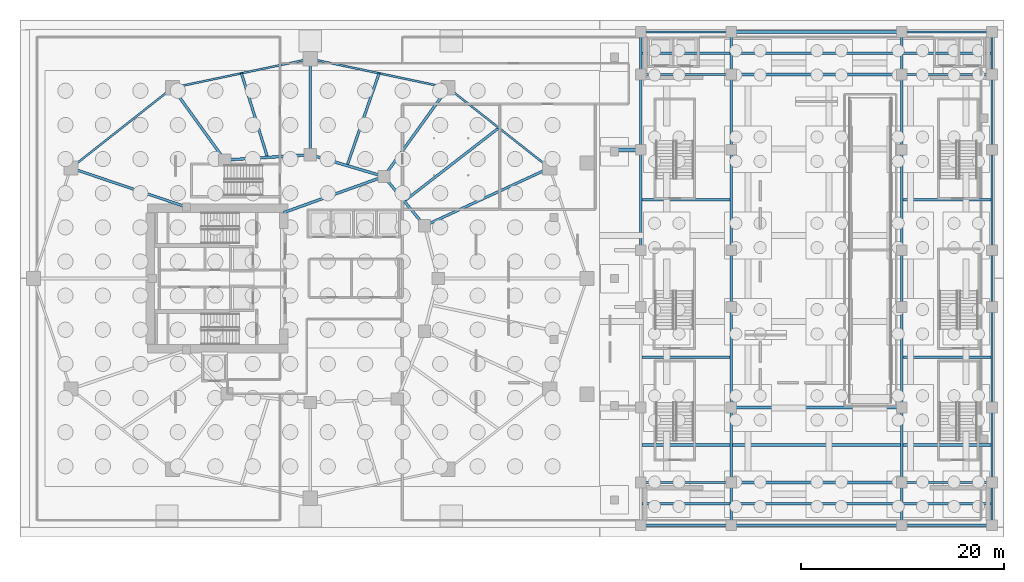
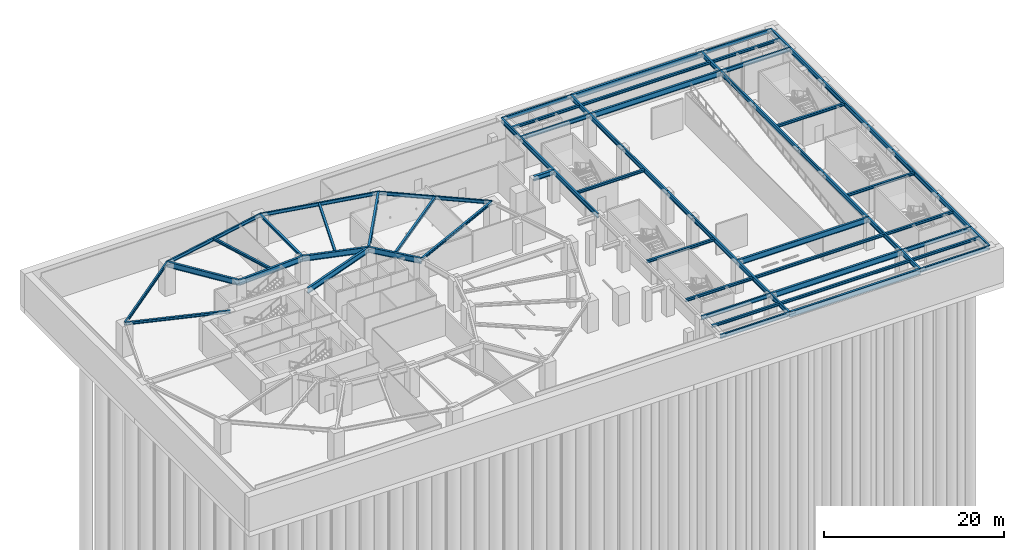
# One storey, part 4 of 19: 67 beams.
"""IFC4 building model written with IfcOpenShell, lengths in metres."""

from ifc_helpers import new_model, si_unit, direction, frame, origin, origin_2d, place, context, subcontext, project, spatial, i_section, extrude, material, material_profile, profile_set, type_object, element, save


model = new_model("IFC4")

# Units and contexts
model_context = context("Model", 3, precision=1e-05, world=origin(), true_north=direction((0.0, 1.0)))
body_context = subcontext(model_context, "Body", "Model", "MODEL_VIEW")
ifc_project = project(units=[si_unit("LENGTHUNIT", "METRE"), si_unit("AREAUNIT", "SQUARE_METRE"), si_unit("VOLUMEUNIT", "CUBIC_METRE"), si_unit("PLANEANGLEUNIT", "RADIAN"), si_unit("MASSUNIT", "GRAM", prefix="KILO")], contexts=[model_context])

# Site, building, storey
site_placement = place(None, origin())
site = spatial("IfcSite", under=ifc_project, at=site_placement, CompositionType="ELEMENT")
building_placement = place(site_placement, origin())
building = spatial("IfcBuilding", under=site, at=building_placement, Name="Kolvaren Gate Tower and Convention Centre", CompositionType="ELEMENT")
storey_placement = place(building_placement, frame((0.0, 0.0, -13.5)))
storey = spatial("IfcBuildingStorey", under=building, at=storey_placement, Name="B3", CompositionType="ELEMENT", Elevation=-13.5)

# Beams
ifc_material = material(Name="Structural steel ASTM A992 Grade 345 MPa", Category="steel")
ifc_material_profile_1 = material_profile(ifc_material, i_section(OverallWidth=0.2119140625, OverallDepth=0.5439453125, WebThickness=0.01318359375, FlangeThickness=0.021240234375, at=origin_2d()), Name="W530X123")
ifc_profile_set_1 = profile_set([ifc_material_profile_1], Name="Structural steel ASTM A992 Grade 345 MPa")
beam_type_1 = type_object("IfcBeamType", Name="STR-BM-W530X123", PredefinedType="BEAM", material=ifc_profile_set_1)
for number, where, z_axis, x_axis, name in (
    (1, (62.699951171875, 2.699951171875, 3.907958984375), (1.0, 0.0, 0.0), (0.0, 1.0, 0.0), "Convention B3 Transverse Girder CTG-11"),
    (2, (88.39990234375, 2.699951171875, 3.907958984375), (1.0, 0.0, 0.0), (0.0, 1.0, 0.0), "Convention B3 Transverse Girder CTG-31"),
    (3, (62.699951171875, 6.89990234375, 3.907958984375), (1.0, 0.0, 0.0), (0.0, 1.0, 0.0), "Convention B3 Transverse Girder CTG-12"),
    (4, (88.39990234375, 6.89990234375, 3.907958984375), (1.0, 0.0, 0.0), (0.0, 1.0, 0.0), "Convention B3 Transverse Girder CTG-32"),
    (5, (62.699951171875, 47.10009765625, 3.907958984375), (1.0, 0.0, 0.0), (0.0, 1.0, 0.0), "Convention B3 Transverse Girder CTG-17"),
    (6, (88.39990234375, 47.10009765625, 3.907958984375), (1.0, 0.0, 0.0), (0.0, 1.0, 0.0), "Convention B3 Transverse Girder CTG-37"),
    (7, (62.699951171875, 51.300048828125, 3.907958984375), (1.0, 0.0, 0.0), (0.0, 1.0, 0.0), "Convention B3 Transverse Girder CTG-18"),
    (8, (88.39990234375, 51.300048828125, 3.907958984375), (1.0, 0.0, 0.0), (0.0, 1.0, 0.0), "Convention B3 Transverse Girder CTG-38"),
):
    element("IfcBeam", number, at=place(storey_placement, frame(where, z_axis=z_axis, x_axis=x_axis)), inside=storey, type_object=beam_type_1, Name=name, PredefinedType="BEAM", context=body_context, shape_type="SweptSolid", body=[
        extrude(i_section(OverallWidth=0.2119140625, OverallDepth=0.5439453125, WebThickness=0.01318359375, FlangeThickness=0.021240234375, at=origin_2d()), origin(), (0.0, 0.0, 1.0), 8.900146484375),
    ])
ifc_material_profile_2 = material_profile(ifc_material, i_section(OverallWidth=0.22998046875, OverallDepth=0.616943359375, WebThickness=0.01318359375, FlangeThickness=0.022216796875, at=origin_2d()), Name="W610X140")
ifc_profile_set_2 = profile_set([ifc_material_profile_2], Name="Structural steel ASTM A992 Grade 345 MPa")
beam_type_2 = type_object("IfcBeamType", Name="STR-BM-W610X140", PredefinedType="BEAM", material=ifc_profile_set_2)
beam_1_placement = place(storey_placement, frame((62.699951171875, 29.800048828125, 3.87158203125), z_axis=(0.0, 1.0, 0.0), x_axis=(-1.0, 0.0, 0.0)))
element("IfcBeam", 9, at=beam_1_placement, inside=storey, type_object=beam_type_2, Name="Convention B3 Longitudinal Girder CG-15", PredefinedType="BEAM", context=body_context, shape_type="SweptSolid", body=[
    extrude(i_section(OverallWidth=0.22998046875, OverallDepth=0.616943359375, WebThickness=0.01318359375, FlangeThickness=0.022216796875, at=origin_2d()), origin(), (0.0, 0.0, 1.0), 9.89990234375),
])
beam_2_placement = place(storey_placement, frame((62.699951171875, 39.699951171875, 3.87158203125), z_axis=(0.0, 1.0, 0.0), x_axis=(-1.0, 0.0, 0.0)))
element("IfcBeam", 10, at=beam_2_placement, inside=storey, type_object=beam_type_2, Name="Convention B3 Longitudinal Girder CG-16", PredefinedType="BEAM", context=body_context, shape_type="SweptSolid", body=[
    extrude(i_section(OverallWidth=0.22998046875, OverallDepth=0.616943359375, WebThickness=0.01318359375, FlangeThickness=0.022216796875, at=origin_2d()), origin(), (0.0, 0.0, 1.0), 7.400146484375),
])
for number, where, z_axis, x_axis, name in (
    (11, (62.699951171875, 47.10009765625, 3.87158203125), (0.0, 1.0, 0.0), (-1.0, 0.0, 0.0), "Convention B3 Longitudinal Girder CG-17"),
    (12, (71.60009765625, 2.699951171875, 3.87158203125), (0.0, 1.0, 0.0), (-1.0, 0.0, 0.0), "Convention B3 Longitudinal Girder CG-21"),
):
    element("IfcBeam", number, at=place(storey_placement, frame(where, z_axis=z_axis, x_axis=x_axis)), inside=storey, type_object=beam_type_2, Name=name, PredefinedType="BEAM", context=body_context, shape_type="SweptSolid", body=[
        extrude(i_section(OverallWidth=0.22998046875, OverallDepth=0.616943359375, WebThickness=0.01318359375, FlangeThickness=0.022216796875, at=origin_2d()), origin(), (0.0, 0.0, 1.0), 4.199951171875),
    ])
beam_3_placement = place(storey_placement, frame((71.60009765625, 6.89990234375, 3.87158203125), z_axis=(0.0, 1.0, 0.0), x_axis=(-1.0, 0.0, 0.0)))
element("IfcBeam", 13, at=beam_3_placement, inside=storey, type_object=beam_type_2, Name="Convention B3 Longitudinal Girder CG-22", PredefinedType="BEAM", context=body_context, shape_type="SweptSolid", body=[
    extrude(i_section(OverallWidth=0.22998046875, OverallDepth=0.616943359375, WebThickness=0.01318359375, FlangeThickness=0.022216796875, at=origin_2d()), origin(), (0.0, 0.0, 1.0), 7.400146484375),
])
beam_4_placement = place(storey_placement, frame((71.60009765625, 14.300048828125, 3.87158203125), z_axis=(0.0, 1.0, 0.0), x_axis=(-1.0, 0.0, 0.0)))
element("IfcBeam", 14, at=beam_4_placement, inside=storey, type_object=beam_type_2, Name="Convention B3 Longitudinal Girder CG-23", PredefinedType="BEAM", context=body_context, shape_type="SweptSolid", body=[
    extrude(i_section(OverallWidth=0.22998046875, OverallDepth=0.616943359375, WebThickness=0.01318359375, FlangeThickness=0.022216796875, at=origin_2d()), origin(), (0.0, 0.0, 1.0), 9.89990234375),
])
beam_5_placement = place(storey_placement, frame((71.60009765625, 24.199951171875, 3.87158203125), z_axis=(0.0, 1.0, 0.0), x_axis=(-1.0, 0.0, 0.0)))
element("IfcBeam", 15, at=beam_5_placement, inside=storey, type_object=beam_type_2, Name="Convention B3 Longitudinal Girder CG-24", PredefinedType="BEAM", context=body_context, shape_type="SweptSolid", body=[
    extrude(i_section(OverallWidth=0.22998046875, OverallDepth=0.616943359375, WebThickness=0.01318359375, FlangeThickness=0.022216796875, at=origin_2d()), origin(), (0.0, 0.0, 1.0), 5.60009765625),
])
beam_6_placement = place(storey_placement, frame((71.60009765625, 29.800048828125, 3.87158203125), z_axis=(0.0, 1.0, 0.0), x_axis=(-1.0, 0.0, 0.0)))
element("IfcBeam", 16, at=beam_6_placement, inside=storey, type_object=beam_type_2, Name="Convention B3 Longitudinal Girder CG-25", PredefinedType="BEAM", context=body_context, shape_type="SweptSolid", body=[
    extrude(i_section(OverallWidth=0.22998046875, OverallDepth=0.616943359375, WebThickness=0.01318359375, FlangeThickness=0.022216796875, at=origin_2d()), origin(), (0.0, 0.0, 1.0), 9.89990234375),
])
beam_7_placement = place(storey_placement, frame((71.60009765625, 39.699951171875, 3.87158203125), z_axis=(0.0, 1.0, 0.0), x_axis=(-1.0, 0.0, 0.0)))
element("IfcBeam", 17, at=beam_7_placement, inside=storey, type_object=beam_type_2, Name="Convention B3 Longitudinal Girder CG-26", PredefinedType="BEAM", context=body_context, shape_type="SweptSolid", body=[
    extrude(i_section(OverallWidth=0.22998046875, OverallDepth=0.616943359375, WebThickness=0.01318359375, FlangeThickness=0.022216796875, at=origin_2d()), origin(), (0.0, 0.0, 1.0), 7.400146484375),
])
for number, where, z_axis, x_axis, name in (
    (18, (71.60009765625, 47.10009765625, 3.87158203125), (0.0, 1.0, 0.0), (-1.0, 0.0, 0.0), "Convention B3 Longitudinal Girder CG-27"),
    (19, (88.39990234375, 2.699951171875, 3.87158203125), (0.0, 1.0, 0.0), (-1.0, 0.0, 0.0), "Convention B3 Longitudinal Girder CG-31"),
):
    element("IfcBeam", number, at=place(storey_placement, frame(where, z_axis=z_axis, x_axis=x_axis)), inside=storey, type_object=beam_type_2, Name=name, PredefinedType="BEAM", context=body_context, shape_type="SweptSolid", body=[
        extrude(i_section(OverallWidth=0.22998046875, OverallDepth=0.616943359375, WebThickness=0.01318359375, FlangeThickness=0.022216796875, at=origin_2d()), origin(), (0.0, 0.0, 1.0), 4.199951171875),
    ])
beam_8_placement = place(storey_placement, frame((88.39990234375, 6.89990234375, 3.87158203125), z_axis=(0.0, 1.0, 0.0), x_axis=(-1.0, 0.0, 0.0)))
element("IfcBeam", 20, at=beam_8_placement, inside=storey, type_object=beam_type_2, Name="Convention B3 Longitudinal Girder CG-32", PredefinedType="BEAM", context=body_context, shape_type="SweptSolid", body=[
    extrude(i_section(OverallWidth=0.22998046875, OverallDepth=0.616943359375, WebThickness=0.01318359375, FlangeThickness=0.022216796875, at=origin_2d()), origin(), (0.0, 0.0, 1.0), 7.400146484375),
])
beam_9_placement = place(storey_placement, frame((88.39990234375, 14.300048828125, 3.87158203125), z_axis=(0.0, 1.0, 0.0), x_axis=(-1.0, 0.0, 0.0)))
element("IfcBeam", 21, at=beam_9_placement, inside=storey, type_object=beam_type_2, Name="Convention B3 Longitudinal Girder CG-33", PredefinedType="BEAM", context=body_context, shape_type="SweptSolid", body=[
    extrude(i_section(OverallWidth=0.22998046875, OverallDepth=0.616943359375, WebThickness=0.01318359375, FlangeThickness=0.022216796875, at=origin_2d()), origin(), (0.0, 0.0, 1.0), 9.89990234375),
])
beam_10_placement = place(storey_placement, frame((88.39990234375, 24.199951171875, 3.87158203125), z_axis=(0.0, 1.0, 0.0), x_axis=(-1.0, 0.0, 0.0)))
element("IfcBeam", 22, at=beam_10_placement, inside=storey, type_object=beam_type_2, Name="Convention B3 Longitudinal Girder CG-34", PredefinedType="BEAM", context=body_context, shape_type="SweptSolid", body=[
    extrude(i_section(OverallWidth=0.22998046875, OverallDepth=0.616943359375, WebThickness=0.01318359375, FlangeThickness=0.022216796875, at=origin_2d()), origin(), (0.0, 0.0, 1.0), 5.60009765625),
])
beam_11_placement = place(storey_placement, frame((88.39990234375, 29.800048828125, 3.87158203125), z_axis=(0.0, 1.0, 0.0), x_axis=(-1.0, 0.0, 0.0)))
element("IfcBeam", 23, at=beam_11_placement, inside=storey, type_object=beam_type_2, Name="Convention B3 Longitudinal Girder CG-35", PredefinedType="BEAM", context=body_context, shape_type="SweptSolid", body=[
    extrude(i_section(OverallWidth=0.22998046875, OverallDepth=0.616943359375, WebThickness=0.01318359375, FlangeThickness=0.022216796875, at=origin_2d()), origin(), (0.0, 0.0, 1.0), 9.89990234375),
])
beam_12_placement = place(storey_placement, frame((88.39990234375, 39.699951171875, 3.87158203125), z_axis=(0.0, 1.0, 0.0), x_axis=(-1.0, 0.0, 0.0)))
element("IfcBeam", 24, at=beam_12_placement, inside=storey, type_object=beam_type_2, Name="Convention B3 Longitudinal Girder CG-36", PredefinedType="BEAM", context=body_context, shape_type="SweptSolid", body=[
    extrude(i_section(OverallWidth=0.22998046875, OverallDepth=0.616943359375, WebThickness=0.01318359375, FlangeThickness=0.022216796875, at=origin_2d()), origin(), (0.0, 0.0, 1.0), 7.400146484375),
])
for number, where, z_axis, x_axis, name in (
    (25, (88.39990234375, 47.10009765625, 3.87158203125), (0.0, 1.0, 0.0), (-1.0, 0.0, 0.0), "Convention B3 Longitudinal Girder CG-37"),
    (26, (97.300048828125, 2.699951171875, 3.87158203125), (0.0, 1.0, 0.0), (-1.0, 0.0, 0.0), "Convention B3 Longitudinal Girder CG-41"),
):
    element("IfcBeam", number, at=place(storey_placement, frame(where, z_axis=z_axis, x_axis=x_axis)), inside=storey, type_object=beam_type_2, Name=name, PredefinedType="BEAM", context=body_context, shape_type="SweptSolid", body=[
        extrude(i_section(OverallWidth=0.22998046875, OverallDepth=0.616943359375, WebThickness=0.01318359375, FlangeThickness=0.022216796875, at=origin_2d()), origin(), (0.0, 0.0, 1.0), 4.199951171875),
    ])
beam_13_placement = place(storey_placement, frame((97.300048828125, 6.89990234375, 3.87158203125), z_axis=(0.0, 1.0, 0.0), x_axis=(-1.0, 0.0, 0.0)))
element("IfcBeam", 27, at=beam_13_placement, inside=storey, type_object=beam_type_2, Name="Convention B3 Longitudinal Girder CG-42", PredefinedType="BEAM", context=body_context, shape_type="SweptSolid", body=[
    extrude(i_section(OverallWidth=0.22998046875, OverallDepth=0.616943359375, WebThickness=0.01318359375, FlangeThickness=0.022216796875, at=origin_2d()), origin(), (0.0, 0.0, 1.0), 7.400146484375),
])
beam_14_placement = place(storey_placement, frame((97.300048828125, 14.300048828125, 3.87158203125), z_axis=(0.0, 1.0, 0.0), x_axis=(-1.0, 0.0, 0.0)))
element("IfcBeam", 28, at=beam_14_placement, inside=storey, type_object=beam_type_2, Name="Convention B3 Longitudinal Girder CG-43", PredefinedType="BEAM", context=body_context, shape_type="SweptSolid", body=[
    extrude(i_section(OverallWidth=0.22998046875, OverallDepth=0.616943359375, WebThickness=0.01318359375, FlangeThickness=0.022216796875, at=origin_2d()), origin(), (0.0, 0.0, 1.0), 9.89990234375),
])
beam_15_placement = place(storey_placement, frame((97.300048828125, 24.199951171875, 3.87158203125), z_axis=(0.0, 1.0, 0.0), x_axis=(-1.0, 0.0, 0.0)))
element("IfcBeam", 29, at=beam_15_placement, inside=storey, type_object=beam_type_2, Name="Convention B3 Longitudinal Girder CG-44", PredefinedType="BEAM", context=body_context, shape_type="SweptSolid", body=[
    extrude(i_section(OverallWidth=0.22998046875, OverallDepth=0.616943359375, WebThickness=0.01318359375, FlangeThickness=0.022216796875, at=origin_2d()), origin(), (0.0, 0.0, 1.0), 5.60009765625),
])
beam_16_placement = place(storey_placement, frame((97.300048828125, 29.800048828125, 3.87158203125), z_axis=(0.0, 1.0, 0.0), x_axis=(-1.0, 0.0, 0.0)))
element("IfcBeam", 30, at=beam_16_placement, inside=storey, type_object=beam_type_2, Name="Convention B3 Longitudinal Girder CG-45", PredefinedType="BEAM", context=body_context, shape_type="SweptSolid", body=[
    extrude(i_section(OverallWidth=0.22998046875, OverallDepth=0.616943359375, WebThickness=0.01318359375, FlangeThickness=0.022216796875, at=origin_2d()), origin(), (0.0, 0.0, 1.0), 9.89990234375),
])
beam_17_placement = place(storey_placement, frame((97.300048828125, 39.699951171875, 3.87158203125), z_axis=(0.0, 1.0, 0.0), x_axis=(-1.0, 0.0, 0.0)))
element("IfcBeam", 31, at=beam_17_placement, inside=storey, type_object=beam_type_2, Name="Convention B3 Longitudinal Girder CG-46", PredefinedType="BEAM", context=body_context, shape_type="SweptSolid", body=[
    extrude(i_section(OverallWidth=0.22998046875, OverallDepth=0.616943359375, WebThickness=0.01318359375, FlangeThickness=0.022216796875, at=origin_2d()), origin(), (0.0, 0.0, 1.0), 7.400146484375),
])
beam_18_placement = place(storey_placement, frame((97.300048828125, 47.10009765625, 3.87158203125), z_axis=(0.0, 1.0, 0.0), x_axis=(-1.0, 0.0, 0.0)))
element("IfcBeam", 32, at=beam_18_placement, inside=storey, type_object=beam_type_2, Name="Convention B3 Longitudinal Girder CG-47", PredefinedType="BEAM", context=body_context, shape_type="SweptSolid", body=[
    extrude(i_section(OverallWidth=0.22998046875, OverallDepth=0.616943359375, WebThickness=0.01318359375, FlangeThickness=0.022216796875, at=origin_2d()), origin(), (0.0, 0.0, 1.0), 4.199951171875),
])
ifc_material_profile_3 = material_profile(ifc_material, i_section(OverallWidth=0.327880859375, OverallDepth=0.6279296875, WebThickness=0.0166015625, FlangeThickness=0.027587890625, at=origin_2d()), Name="W610X217")
ifc_profile_set_3 = profile_set([ifc_material_profile_3], Name="Structural steel ASTM A992 Grade 345 MPa")
beam_type_3 = type_object("IfcBeamType", Name="STR-BM-W610X217", PredefinedType="BEAM", material=ifc_profile_set_3)
beam_19_placement = place(storey_placement, frame((60.10009765625, 39.699951171875, 3.865966796875), z_axis=(1.0, 0.0, 0.0), x_axis=(0.0, 1.0, 0.0)))
element("IfcBeam", 33, at=beam_19_placement, inside=storey, type_object=beam_type_3, Name="Basement B3 Substructure Girder SG-39", PredefinedType="BEAM", context=body_context, shape_type="SweptSolid", body=[
    extrude(i_section(OverallWidth=0.327880859375, OverallDepth=0.6279296875, WebThickness=0.0166015625, FlangeThickness=0.027587890625, at=origin_2d()), origin(), (0.0, 0.0, 1.0), 2.599853515625),
])
ifc_material_profile_4 = material_profile(ifc_material, i_section(OverallWidth=0.26806640625, OverallDepth=0.758056640625, WebThickness=0.016357421875, FlangeThickness=0.025390625, at=origin_2d()), Name="W760X220")
ifc_profile_set_4 = profile_set([ifc_material_profile_4], Name="Structural steel ASTM A992 Grade 345 MPa")
beam_type_4 = type_object("IfcBeamType", Name="STR-BM-W760X220", PredefinedType="BEAM", material=ifc_profile_set_4)
beam_20_placement = place(storey_placement, frame((41.382080078125, 32.199462890625, 3.801025390625), z_axis=(-0.635884066011, 0.771784590798, 0.0), x_axis=(-0.771784590798, -0.635884066011, 0.0)))
element("IfcBeam", 34, at=beam_20_placement, inside=storey, type_object=beam_type_4, Name="Tower B3 Primary Ring Girder G-02", PredefinedType="BEAM", context=body_context, shape_type="SweptSolid", body=[
    extrude(i_section(OverallWidth=0.26806640625, OverallDepth=0.758056640625, WebThickness=0.016357421875, FlangeThickness=0.025390625, at=origin_2d()), origin(), (0.0, 0.0, 1.0), 6.291259765625),
])
beam_21_placement = place(storey_placement, frame((37.381591796875, 37.054931640625, 3.801025390625), z_axis=(-0.958980837827, 0.283470902706, 0.0), x_axis=(-0.283470902706, -0.958980837827, 0.0)))
element("IfcBeam", 35, at=beam_21_placement, inside=storey, type_object=beam_type_4, Name="Tower B3 Primary Ring Girder G-03", PredefinedType="BEAM", context=body_context, shape_type="SweptSolid", body=[
    extrude(i_section(OverallWidth=0.26806640625, OverallDepth=0.758056640625, WebThickness=0.016357421875, FlangeThickness=0.025390625, at=origin_2d()), origin(), (0.0, 0.0, 1.0), 7.56689453125),
])
beam_22_placement = place(storey_placement, frame((30.125, 39.199951171875, 3.801025390625), z_axis=(-0.998078258568, -0.06196603726, 0.0), x_axis=(0.06196603726, -0.998078258568, 0.0)))
element("IfcBeam", 36, at=beam_22_placement, inside=storey, type_object=beam_type_4, Name="Tower B3 Primary Ring Girder G-04", PredefinedType="BEAM", context=body_context, shape_type="SweptSolid", body=[
    extrude(i_section(OverallWidth=0.26806640625, OverallDepth=0.758056640625, WebThickness=0.016357421875, FlangeThickness=0.025390625, at=origin_2d()), origin(), (0.0, 0.0, 1.0), 8.443115234375),
])
beam_23_placement = place(storey_placement, frame((27.5, 33.5, 3.801025390625), z_axis=(0.940961479908, 0.338513653093, 0.0), x_axis=(-0.338513653093, 0.940961479908, 0.0)))
element("IfcBeam", 37, at=beam_23_placement, inside=storey, type_object=beam_type_4, Name="Tower B3 Primary Ring Girder G-10", PredefinedType="BEAM", context=body_context, shape_type="SweptSolid", body=[
    extrude(i_section(OverallWidth=0.26806640625, OverallDepth=0.758056640625, WebThickness=0.016357421875, FlangeThickness=0.025390625, at=origin_2d()), origin(), (0.0, 0.0, 1.0), 10.501708984375),
])
beam_24_placement = place(storey_placement, frame((37.381591796875, 37.054931640625, 3.801025390625), z_axis=(0.585205244783, 0.81088520857, 0.0), x_axis=(-0.81088520857, 0.585205244783, 0.0)))
element("IfcBeam", 38, at=beam_24_placement, inside=storey, type_object=beam_type_4, Name="Tower B3 Radial Floor Girder RB-03", PredefinedType="BEAM", context=body_context, shape_type="SweptSolid", body=[
    extrude(i_section(OverallWidth=0.26806640625, OverallDepth=0.758056640625, WebThickness=0.016357421875, FlangeThickness=0.025390625, at=origin_2d()), origin(), (0.0, 0.0, 1.0), 10.780029296875),
])
beam_25_placement = place(storey_placement, frame((21.697998046875, 38.6767578125, 3.801025390625), z_axis=(-0.585208283095, 0.810883015852, 0.0), x_axis=(-0.810883015852, -0.585208283095, 0.0)))
element("IfcBeam", 39, at=beam_25_placement, inside=storey, type_object=beam_type_4, Name="Tower B3 Radial Floor Girder RB-05", PredefinedType="BEAM", context=body_context, shape_type="SweptSolid", body=[
    extrude(i_section(OverallWidth=0.26806640625, OverallDepth=0.758056640625, WebThickness=0.016357421875, FlangeThickness=0.025390625, at=origin_2d()), origin(), (0.0, 0.0, 1.0), 8.780029296875),
])
for number, where, z_axis, x_axis, name in (
    (40, (71.60009765625, 2.699951171875, 3.801025390625), (1.0, 0.0, 0.0), (0.0, 1.0, 0.0), "Convention B3 Transverse Girder CTG-21"),
    (41, (71.60009765625, 6.89990234375, 3.801025390625), (1.0, 0.0, 0.0), (0.0, 1.0, 0.0), "Convention B3 Transverse Girder CTG-22"),
    (42, (71.60009765625, 14.300048828125, 3.801025390625), (1.0, 0.0, 0.0), (0.0, 1.0, 0.0), "Convention B3 Transverse Girder CTG-23"),
    (43, (71.60009765625, 47.10009765625, 3.801025390625), (1.0, 0.0, 0.0), (0.0, 1.0, 0.0), "Convention B3 Transverse Girder CTG-27"),
    (44, (71.60009765625, 51.300048828125, 3.801025390625), (1.0, 0.0, 0.0), (0.0, 1.0, 0.0), "Convention B3 Transverse Girder CTG-28"),
):
    element("IfcBeam", number, at=place(storey_placement, frame(where, z_axis=z_axis, x_axis=x_axis)), inside=storey, type_object=beam_type_4, Name=name, PredefinedType="BEAM", context=body_context, shape_type="SweptSolid", body=[
        extrude(i_section(OverallWidth=0.26806640625, OverallDepth=0.758056640625, WebThickness=0.016357421875, FlangeThickness=0.025390625, at=origin_2d()), origin(), (0.0, 0.0, 1.0), 16.7998046875),
    ])
ifc_material_profile_5 = material_profile(ifc_material, i_section(OverallWidth=0.2548828125, OverallDepth=0.35693359375, WebThickness=0.010498046875, FlangeThickness=0.018310546875, at=origin_2d()), Name="W360X101")
ifc_profile_set_5 = profile_set([ifc_material_profile_5], Name="Structural steel ASTM A992 Grade 345 MPa")
beam_type_5 = type_object("IfcBeamType", Name="STR-JS-W360X101", PredefinedType="JOIST", material=ifc_profile_set_5)
beam_26_placement = place(storey_placement, frame((41.382080078125, 32.199462890625, 4.00146484375), z_axis=(0.907842006347, 0.419312403241, 0.0), x_axis=(-0.419312403241, 0.907842006347, 0.0)))
element("IfcBeam", 45, at=beam_26_placement, inside=storey, type_object=beam_type_5, Name="Tower B3 Radial Floor Girder RB-02", PredefinedType="JOIST", context=body_context, shape_type="SweptSolid", body=[
    extrude(i_section(OverallWidth=0.2548828125, OverallDepth=0.35693359375, WebThickness=0.010498046875, FlangeThickness=0.018310546875, at=origin_2d()), origin(), (0.0, 0.0, 1.0), 13.57958984375),
])
beam_27_placement = place(storey_placement, frame((30.125, 39.199951171875, 4.00146484375), z_axis=(0.0, 1.0, 0.0), x_axis=(-1.0, 0.0, 0.0)))
element("IfcBeam", 46, at=beam_27_placement, inside=storey, type_object=beam_type_5, Name="Tower B3 Radial Floor Girder RB-04", PredefinedType="JOIST", context=body_context, shape_type="SweptSolid", body=[
    extrude(i_section(OverallWidth=0.2548828125, OverallDepth=0.35693359375, WebThickness=0.010498046875, FlangeThickness=0.018310546875, at=origin_2d()), origin(), (0.0, 0.0, 1.0), 9.449951171875),
])
beam_28_placement = place(storey_placement, frame((17.9140625, 34.050048828125, 4.00146484375), z_axis=(-0.947373842609, 0.320129352512, 0.0), x_axis=(-0.320129352512, -0.947373842609, 0.0)))
element("IfcBeam", 47, at=beam_28_placement, inside=storey, type_object=beam_type_5, Name="Tower B3 Radial Floor Girder RB-06", PredefinedType="JOIST", context=body_context, shape_type="SweptSolid", body=[
    extrude(i_section(OverallWidth=0.2548828125, OverallDepth=0.35693359375, WebThickness=0.010498046875, FlangeThickness=0.018310546875, at=origin_2d()), origin(), (0.0, 0.0, 1.0), 12.006103515625),
])
beam_29_placement = place(storey_placement, frame((39.3818359375, 34.627197265625, 4.00146484375), z_axis=(0.790577493994, 0.612362005671, 0.0), x_axis=(-0.612362005671, 0.790577493994, 0.0)))
element("IfcBeam", 48, at=beam_29_placement, inside=storey, type_object=beam_type_5, Name="Tower B3 Secondary Composite Floor Joist J-02.1", PredefinedType="JOIST", context=body_context, shape_type="SweptSolid", body=[
    extrude(i_section(OverallWidth=0.2548828125, OverallDepth=0.35693359375, WebThickness=0.010498046875, FlangeThickness=0.018310546875, at=origin_2d()), origin(), (0.0, 0.0, 1.0), 11.786865234375),
])
beam_30_placement = place(storey_placement, frame((33.75341796875, 38.12744140625, 4.00146484375), z_axis=(0.327647050942, 0.944800195813, 0.0), x_axis=(-0.944800195813, 0.327647050942, 0.0)))
element("IfcBeam", 49, at=beam_30_placement, inside=storey, type_object=beam_type_5, Name="Tower B3 Secondary Composite Floor Joist J-03.1", PredefinedType="JOIST", context=body_context, shape_type="SweptSolid", body=[
    extrude(i_section(OverallWidth=0.2548828125, OverallDepth=0.35693359375, WebThickness=0.010498046875, FlangeThickness=0.018310546875, at=origin_2d()), origin(), (0.0, 0.0, 1.0), 9.627197265625),
])
beam_31_placement = place(storey_placement, frame((25.91162109375, 38.938232421875, 4.00146484375), z_axis=(-0.296205333134, 0.955124285433, 0.0), x_axis=(-0.955124285433, -0.296205333134, 0.0)))
element("IfcBeam", 50, at=beam_31_placement, inside=storey, type_object=beam_type_5, Name="Tower B3 Secondary Composite Floor Joist J-04.1", PredefinedType="JOIST", context=body_context, shape_type="SweptSolid", body=[
    extrude(i_section(OverallWidth=0.2548828125, OverallDepth=0.35693359375, WebThickness=0.010498046875, FlangeThickness=0.018310546875, at=origin_2d()), origin(), (0.0, 0.0, 1.0), 8.674072265625),
])
beam_32_placement = place(storey_placement, frame((62.81494140625, 4.800048828125, 4.00146484375), z_axis=(1.0, 0.0, 0.0), x_axis=(0.0, 1.0, 0.0)))
element("IfcBeam", 51, at=beam_32_placement, inside=storey, type_object=beam_type_5, Name="Convention B3 Composite Floor Joist CJ-11", PredefinedType="JOIST", context=body_context, shape_type="SweptSolid", body=[
    extrude(i_section(OverallWidth=0.2548828125, OverallDepth=0.35693359375, WebThickness=0.010498046875, FlangeThickness=0.018310546875, at=origin_2d()), origin(), (0.0, 0.0, 1.0), 8.670166015625),
])
beam_33_placement = place(storey_placement, frame((71.715087890625, 4.800048828125, 4.00146484375), z_axis=(1.0, 0.0, 0.0), x_axis=(0.0, 1.0, 0.0)))
element("IfcBeam", 52, at=beam_33_placement, inside=storey, type_object=beam_type_5, Name="Convention B3 Composite Floor Joist CJ-21", PredefinedType="JOIST", context=body_context, shape_type="SweptSolid", body=[
    extrude(i_section(OverallWidth=0.2548828125, OverallDepth=0.35693359375, WebThickness=0.010498046875, FlangeThickness=0.018310546875, at=origin_2d()), origin(), (0.0, 0.0, 1.0), 16.56982421875),
])
for number, where, z_axis, x_axis, name in (
    (53, (88.514892578125, 4.800048828125, 4.00146484375), (1.0, 0.0, 0.0), (0.0, 1.0, 0.0), "Convention B3 Composite Floor Joist CJ-31"),
    (54, (62.81494140625, 10.60009765625, 4.00146484375), (1.0, 0.0, 0.0), (0.0, 1.0, 0.0), "Convention B3 Composite Floor Joist CJ-12"),
):
    element("IfcBeam", number, at=place(storey_placement, frame(where, z_axis=z_axis, x_axis=x_axis)), inside=storey, type_object=beam_type_5, Name=name, PredefinedType="JOIST", context=body_context, shape_type="SweptSolid", body=[
        extrude(i_section(OverallWidth=0.2548828125, OverallDepth=0.35693359375, WebThickness=0.010498046875, FlangeThickness=0.018310546875, at=origin_2d()), origin(), (0.0, 0.0, 1.0), 8.670166015625),
    ])
beam_34_placement = place(storey_placement, frame((71.715087890625, 10.60009765625, 4.00146484375), z_axis=(1.0, 0.0, 0.0), x_axis=(0.0, 1.0, 0.0)))
element("IfcBeam", 55, at=beam_34_placement, inside=storey, type_object=beam_type_5, Name="Convention B3 Composite Floor Joist CJ-22", PredefinedType="JOIST", context=body_context, shape_type="SweptSolid", body=[
    extrude(i_section(OverallWidth=0.2548828125, OverallDepth=0.35693359375, WebThickness=0.010498046875, FlangeThickness=0.018310546875, at=origin_2d()), origin(), (0.0, 0.0, 1.0), 16.56982421875),
])
for number, where, z_axis, x_axis, name in (
    (56, (88.514892578125, 10.60009765625, 4.00146484375), (1.0, 0.0, 0.0), (0.0, 1.0, 0.0), "Convention B3 Composite Floor Joist CJ-32"),
    (57, (62.81494140625, 19.25, 4.00146484375), (1.0, 0.0, 0.0), (0.0, 1.0, 0.0), "Convention B3 Composite Floor Joist CJ-13"),
    (58, (88.514892578125, 19.25, 4.00146484375), (1.0, 0.0, 0.0), (0.0, 1.0, 0.0), "Convention B3 Composite Floor Joist CJ-33"),
    (59, (62.81494140625, 34.75, 4.00146484375), (1.0, 0.0, 0.0), (0.0, 1.0, 0.0), "Convention B3 Composite Floor Joist CJ-15"),
    (60, (88.514892578125, 34.75, 4.00146484375), (1.0, 0.0, 0.0), (0.0, 1.0, 0.0), "Convention B3 Composite Floor Joist CJ-35"),
    (61, (62.81494140625, 49.199951171875, 4.00146484375), (1.0, 0.0, 0.0), (0.0, 1.0, 0.0), "Convention B3 Composite Floor Joist CJ-17"),
):
    element("IfcBeam", number, at=place(storey_placement, frame(where, z_axis=z_axis, x_axis=x_axis)), inside=storey, type_object=beam_type_5, Name=name, PredefinedType="JOIST", context=body_context, shape_type="SweptSolid", body=[
        extrude(i_section(OverallWidth=0.2548828125, OverallDepth=0.35693359375, WebThickness=0.010498046875, FlangeThickness=0.018310546875, at=origin_2d()), origin(), (0.0, 0.0, 1.0), 8.670166015625),
    ])
beam_35_placement = place(storey_placement, frame((71.715087890625, 49.199951171875, 4.00146484375), z_axis=(1.0, 0.0, 0.0), x_axis=(0.0, 1.0, 0.0)))
element("IfcBeam", 62, at=beam_35_placement, inside=storey, type_object=beam_type_5, Name="Convention B3 Composite Floor Joist CJ-27", PredefinedType="JOIST", context=body_context, shape_type="SweptSolid", body=[
    extrude(i_section(OverallWidth=0.2548828125, OverallDepth=0.35693359375, WebThickness=0.010498046875, FlangeThickness=0.018310546875, at=origin_2d()), origin(), (0.0, 0.0, 1.0), 16.56982421875),
])
beam_36_placement = place(storey_placement, frame((88.514892578125, 49.199951171875, 4.00146484375), z_axis=(1.0, 0.0, 0.0), x_axis=(0.0, 1.0, 0.0)))
element("IfcBeam", 63, at=beam_36_placement, inside=storey, type_object=beam_type_5, Name="Convention B3 Composite Floor Joist CJ-37", PredefinedType="JOIST", context=body_context, shape_type="SweptSolid", body=[
    extrude(i_section(OverallWidth=0.2548828125, OverallDepth=0.35693359375, WebThickness=0.010498046875, FlangeThickness=0.018310546875, at=origin_2d()), origin(), (0.0, 0.0, 1.0), 8.670166015625),
])
ifc_material_profile_6 = material_profile(ifc_material, i_section(OverallWidth=0.194091796875, OverallDepth=0.468994140625, WebThickness=0.0126953125, FlangeThickness=0.0205078125, at=origin_2d()), Name="W460X106")
ifc_profile_set_6 = profile_set([ifc_material_profile_6], Name="Structural steel ASTM A992 Grade 345 MPa")
beam_type_6 = type_object("IfcBeamType", Name="STR-SP-W460X106", PredefinedType="SPANDREL", material=ifc_profile_set_6)
beam_37_placement = place(storey_placement, frame((53.710205078125, 37.8935546875, 3.945556640625), z_axis=(-0.785176498861, 0.619272044933, 0.0), x_axis=(-0.619272044933, -0.785176498861, 0.0)))
element("IfcBeam", 64, at=beam_37_placement, inside=storey, type_object=beam_type_6, Name="Tower B3 Perimeter Spandrel Beam SP-02", PredefinedType="SPANDREL", context=body_context, shape_type="SweptSolid", body=[
    extrude(i_section(OverallWidth=0.194091796875, OverallDepth=0.468994140625, WebThickness=0.0126953125, FlangeThickness=0.0205078125, at=origin_2d()), origin(), (0.0, 0.0, 1.0), 12.761474609375),
])
for number, where, z_axis, x_axis, name in (
    (65, (43.690185546875, 45.79638671875, 3.945556640625), (-0.978583407863, 0.205850707685, 0.0), (-0.205850707685, -0.978583407863, 0.0), "Tower B3 Perimeter Spandrel Beam SP-03"),
    (66, (30.125, 48.64990234375, 3.945556640625), (-0.978583407863, -0.205850707685, 0.0), (0.205850707685, -0.978583407863, 0.0), "Tower B3 Perimeter Spandrel Beam SP-04"),
):
    element("IfcBeam", number, at=place(storey_placement, frame(where, z_axis=z_axis, x_axis=x_axis)), inside=storey, type_object=beam_type_6, Name=name, PredefinedType="SPANDREL", context=body_context, shape_type="SweptSolid", body=[
        extrude(i_section(OverallWidth=0.194091796875, OverallDepth=0.468994140625, WebThickness=0.0126953125, FlangeThickness=0.0205078125, at=origin_2d()), origin(), (0.0, 0.0, 1.0), 13.862060546875),
    ])
beam_38_placement = place(storey_placement, frame((16.559814453125, 45.79638671875, 3.945556640625), z_axis=(-0.785176498861, -0.619272044933, 0.0), x_axis=(0.619272044933, -0.785176498861, 0.0)))
element("IfcBeam", 67, at=beam_38_placement, inside=storey, type_object=beam_type_6, Name="Tower B3 Perimeter Spandrel Beam SP-05", PredefinedType="SPANDREL", context=body_context, shape_type="SweptSolid", body=[
    extrude(i_section(OverallWidth=0.194091796875, OverallDepth=0.468994140625, WebThickness=0.0126953125, FlangeThickness=0.0205078125, at=origin_2d()), origin(), (0.0, 0.0, 1.0), 12.761474609375),
])

save(model, "model.ifc")
